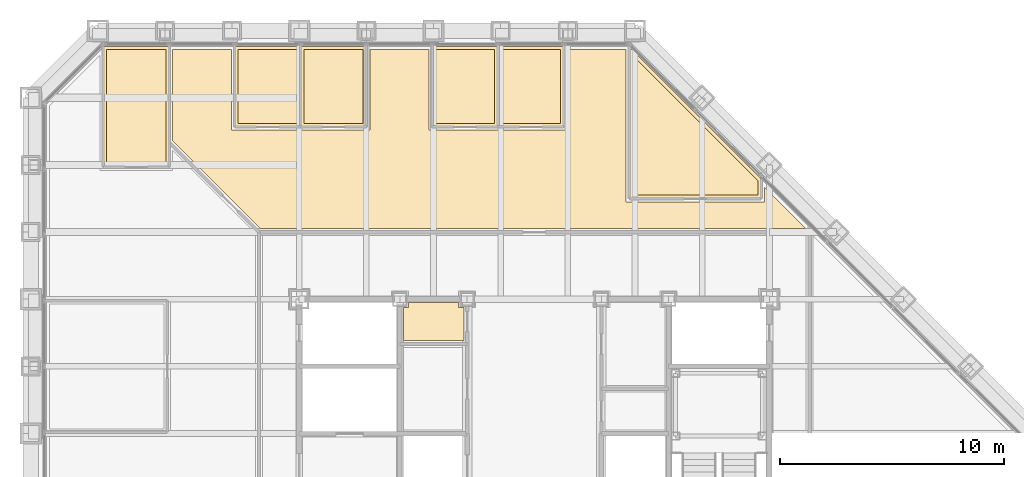
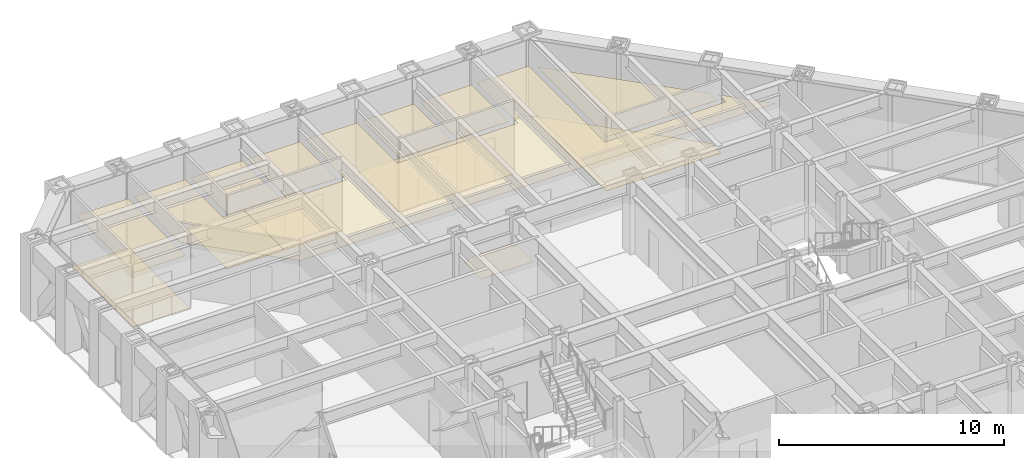
# One storey, part 17 of 17: 14 coverings.
"""IFC4 building model written with IfcOpenShell, lengths in metres."""

from ifc_helpers import new_model, si_unit, direction, frame, origin, place, context, subcontext, project, spatial, polyline, outline, extrude, material, layer, layer_set, type_object, element, save


model = new_model("IFC4")

# Units and contexts
model_context = context("Model", 3, precision=1e-05, world=origin(), true_north=direction((0.0, 1.0)))
body_context = subcontext(model_context, "Body", "Model", "MODEL_VIEW")
ifc_project = project(units=[si_unit("LENGTHUNIT", "METRE"), si_unit("AREAUNIT", "SQUARE_METRE"), si_unit("VOLUMEUNIT", "CUBIC_METRE"), si_unit("PLANEANGLEUNIT", "RADIAN"), si_unit("MASSUNIT", "GRAM", prefix="KILO")], contexts=[model_context])

# Site, building, storey
site_placement = place(None, origin())
site = spatial("IfcSite", under=ifc_project, at=site_placement, CompositionType="ELEMENT")
building_placement = place(site_placement, origin())
building = spatial("IfcBuilding", under=site, at=building_placement, Name="Chuquiago Exchange Tower", CompositionType="ELEMENT")
storey_placement = place(building_placement, frame((0.0, 0.0, 165.60009765625)))
storey = spatial("IfcBuildingStorey", under=building, at=storey_placement, Name="L36", CompositionType="ELEMENT", Elevation=165.60009765625)

# Coverings
ifc_material_1 = material(Name="Mineral fibre tile, 600 x 600, on pale metal grid", Category="mineral fibre")
ifc_layer_1 = layer(ifc_material_1, 0.02001953125)
ifc_layer_set_1 = layer_set([ifc_layer_1], Name="CL1 suspended tile ceiling 20")
covering_type_1 = type_object("IfcCoveringType", Name="CL1 suspended tile ceiling 20", PredefinedType="CEILING", material=ifc_layer_set_1)
covering_1_placement = place(storey_placement, frame((0.0, 0.0, 2.7998046875)))
element("IfcCovering", 1, at=covering_1_placement, inside=storey, type_object=covering_type_1, Name="Ceiling Office", PredefinedType="CEILING", context=body_context, shape_type="SweptSolid", body=[
    extrude(outline(polyline([(6.036376953125, 44.14990234375), (6.036376953125, 39.050048828125), (3.3984375, 39.050048828125), (3.3984375, 44.14990234375), (6.036376953125, 44.14990234375)])), origin(), (0.0, 0.0, 1.0), 0.02001953125),
])
covering_2_placement = place(storey_placement, frame((0.0, 0.0, 2.7998046875)))
element("IfcCovering", 2, at=covering_2_placement, inside=storey, type_object=covering_type_1, Name="Ceiling Focus room", PredefinedType="CEILING", context=body_context, shape_type="SweptSolid", body=[
    extrude(outline(polyline([(11.912109375, 40.85009765625), (9.2744140625, 40.85009765625), (9.2744140625, 44.14990234375), (11.912109375, 44.14990234375), (11.912109375, 40.85009765625)])), origin(), (0.0, 0.0, 1.0), 0.02001953125),
])
covering_3_placement = place(storey_placement, frame((0.0, 0.0, 2.7998046875)))
element("IfcCovering", 3, at=covering_3_placement, inside=storey, type_object=covering_type_1, Name="Ceiling Focus room", PredefinedType="CEILING", context=body_context, shape_type="SweptSolid", body=[
    extrude(outline(polyline([(14.85009765625, 40.85009765625), (12.212158203125, 40.85009765625), (12.212158203125, 44.14990234375), (14.85009765625, 44.14990234375), (14.85009765625, 40.85009765625)])), origin(), (0.0, 0.0, 1.0), 0.02001953125),
])
covering_4_placement = place(storey_placement, frame((0.0, 0.0, 2.7998046875)))
element("IfcCovering", 4, at=covering_4_placement, inside=storey, type_object=covering_type_1, Name="Ceiling Focus room", PredefinedType="CEILING", context=body_context, shape_type="SweptSolid", body=[
    extrude(outline(polyline([(20.7255859375, 40.85009765625), (18.087890625, 40.85009765625), (18.087890625, 44.14990234375), (20.7255859375, 44.14990234375), (20.7255859375, 40.85009765625)])), origin(), (0.0, 0.0, 1.0), 0.02001953125),
])
covering_5_placement = place(storey_placement, frame((0.0, 0.0, 2.7998046875)))
element("IfcCovering", 5, at=covering_5_placement, inside=storey, type_object=covering_type_1, Name="Ceiling Focus room", PredefinedType="CEILING", context=body_context, shape_type="SweptSolid", body=[
    extrude(outline(polyline([(23.66357421875, 40.85009765625), (21.025634765625, 40.85009765625), (21.025634765625, 44.14990234375), (23.66357421875, 44.14990234375), (23.66357421875, 40.85009765625)])), origin(), (0.0, 0.0, 1.0), 0.02001953125),
])
covering_6_placement = place(storey_placement, frame((0.0, 0.0, 2.7998046875)))
element("IfcCovering", 6, at=covering_6_placement, inside=storey, type_object=covering_type_1, Name="Ceiling Conference room", PredefinedType="CEILING", context=body_context, shape_type="SweptSolid", body=[
    extrude(outline(polyline([(32.484375, 37.64990234375), (26.901611328125, 37.64990234375), (26.901611328125, 43.896484375), (32.484375, 38.313720703125), (32.484375, 37.64990234375)])), origin(), (0.0, 0.0, 1.0), 0.02001953125),
])
covering_7_placement = place(storey_placement, frame((0.0, 0.0, 2.7998046875)))
element("IfcCovering", 7, at=covering_7_placement, inside=storey, type_object=covering_type_1, Name="Ceiling Open office east", PredefinedType="CEILING", context=body_context, shape_type="SweptSolid", body=[
    extrude(outline(polyline([(8.974365234375, 44.14990234375), (8.974365234375, 40.550048828125), (15.14990234375, 40.550048828125), (15.14990234375, 44.14990234375), (17.787841796875, 44.14990234375), (17.787841796875, 40.550048828125), (23.963623046875, 40.550048828125), (23.963623046875, 44.14990234375), (26.6015625, 44.14990234375), (26.6015625, 37.35009765625), (32.7841796875, 37.35009765625), (32.7841796875, 38.013671875), (34.64794921875, 36.14990234375), (10.2626953125, 36.14990234375), (6.33642578125, 40.076416015625), (6.33642578125, 44.14990234375), (8.974365234375, 44.14990234375)])), origin(), (0.0, 0.0, 1.0), 0.02001953125),
])
ifc_material_2 = material(Name="Moisture resistant plasterboard on metal frame", Category="gypsum")
ifc_layer_2 = layer(ifc_material_2, 0.014892578125)
ifc_layer_set_2 = layer_set([ifc_layer_2], Name="CL2 moisture resistant ceiling 15")
covering_type_2 = type_object("IfcCoveringType", Name="CL2 moisture resistant ceiling 15", PredefinedType="CEILING", material=ifc_layer_set_2)
covering_8_placement = place(storey_placement, frame((0.0, 0.0, 2.599853515625)))
element("IfcCovering", 8, at=covering_8_placement, inside=storey, type_object=covering_type_2, Name="Ceiling Staff shower room", PredefinedType="CEILING", context=body_context, shape_type="SweptSolid", body=[
    extrude(outline(polyline([(16.64990234375, 31.14990234375), (16.64990234375, 32.625), (16.875, 32.625), (16.875, 32.85009765625), (19.125, 32.85009765625), (19.125, 32.625), (19.35009765625, 32.625), (19.35009765625, 31.14990234375), (16.64990234375, 31.14990234375)])), origin(), (0.0, 0.0, 1.0), 0.01513671875),
])
ifc_material_3 = material(Name="Carpet tile, 500 x 500, on the floor slab", Category="textile")
ifc_layer_3 = layer(ifc_material_3, 0.010009765625)
ifc_layer_set_3 = layer_set([ifc_layer_3], Name="FL1 carpet tile 10")
covering_type_3 = type_object("IfcCoveringType", Name="FL1 carpet tile 10", PredefinedType="FLOORING", material=ifc_layer_set_3)
covering_9_placement = place(storey_placement, origin())
element("IfcCovering", 9, at=covering_9_placement, inside=storey, type_object=covering_type_3, Name="Floor finish Office", PredefinedType="FLOORING", context=body_context, shape_type="SweptSolid", body=[
    extrude(outline(polyline([(3.289794921875, 44.300048828125), (6.186279296875, 44.300048828125), (6.186279296875, 38.89990234375), (3.24853515625, 38.89990234375), (3.24853515625, 44.258544921875), (3.289794921875, 44.300048828125)])), origin(), (0.0, 0.0, 1.0), 0.010009765625),
])
covering_10_placement = place(storey_placement, origin())
element("IfcCovering", 10, at=covering_10_placement, inside=storey, type_object=covering_type_3, Name="Floor finish Focus room", PredefinedType="FLOORING", context=body_context, shape_type="SweptSolid", body=[
    extrude(outline(polyline([(12.06201171875, 44.300048828125), (12.06201171875, 40.699951171875), (9.124267578125, 40.699951171875), (9.124267578125, 44.300048828125), (12.06201171875, 44.300048828125)])), origin(), (0.0, 0.0, 1.0), 0.010009765625),
])
covering_11_placement = place(storey_placement, origin())
element("IfcCovering", 11, at=covering_11_placement, inside=storey, type_object=covering_type_3, Name="Floor finish Focus room", PredefinedType="FLOORING", context=body_context, shape_type="SweptSolid", body=[
    extrude(outline(polyline([(15.0, 44.300048828125), (15.0, 40.699951171875), (12.06201171875, 40.699951171875), (12.06201171875, 44.300048828125), (15.0, 44.300048828125)])), origin(), (0.0, 0.0, 1.0), 0.010009765625),
])
covering_12_placement = place(storey_placement, origin())
element("IfcCovering", 12, at=covering_12_placement, inside=storey, type_object=covering_type_3, Name="Floor finish Focus room", PredefinedType="FLOORING", context=body_context, shape_type="SweptSolid", body=[
    extrude(outline(polyline([(20.875732421875, 44.300048828125), (20.875732421875, 40.699951171875), (17.93798828125, 40.699951171875), (17.93798828125, 44.300048828125), (20.875732421875, 44.300048828125)])), origin(), (0.0, 0.0, 1.0), 0.010009765625),
])
covering_13_placement = place(storey_placement, origin())
element("IfcCovering", 13, at=covering_13_placement, inside=storey, type_object=covering_type_3, Name="Floor finish Focus room", PredefinedType="FLOORING", context=body_context, shape_type="SweptSolid", body=[
    extrude(outline(polyline([(23.813720703125, 44.300048828125), (23.813720703125, 40.699951171875), (20.875732421875, 40.699951171875), (20.875732421875, 44.300048828125), (23.813720703125, 44.300048828125)])), origin(), (0.0, 0.0, 1.0), 0.010009765625),
])
covering_14_placement = place(storey_placement, origin())
element("IfcCovering", 14, at=covering_14_placement, inside=storey, type_object=covering_type_3, Name="Floor finish Conference room", PredefinedType="FLOORING", context=body_context, shape_type="SweptSolid", body=[
    extrude(outline(polyline([(32.63427734375, 38.375732421875), (32.63427734375, 37.5), (26.75146484375, 37.5), (26.75146484375, 44.258544921875), (32.63427734375, 38.375732421875)])), origin(), (0.0, 0.0, 1.0), 0.010009765625),
])

save(model, "model.ifc")
